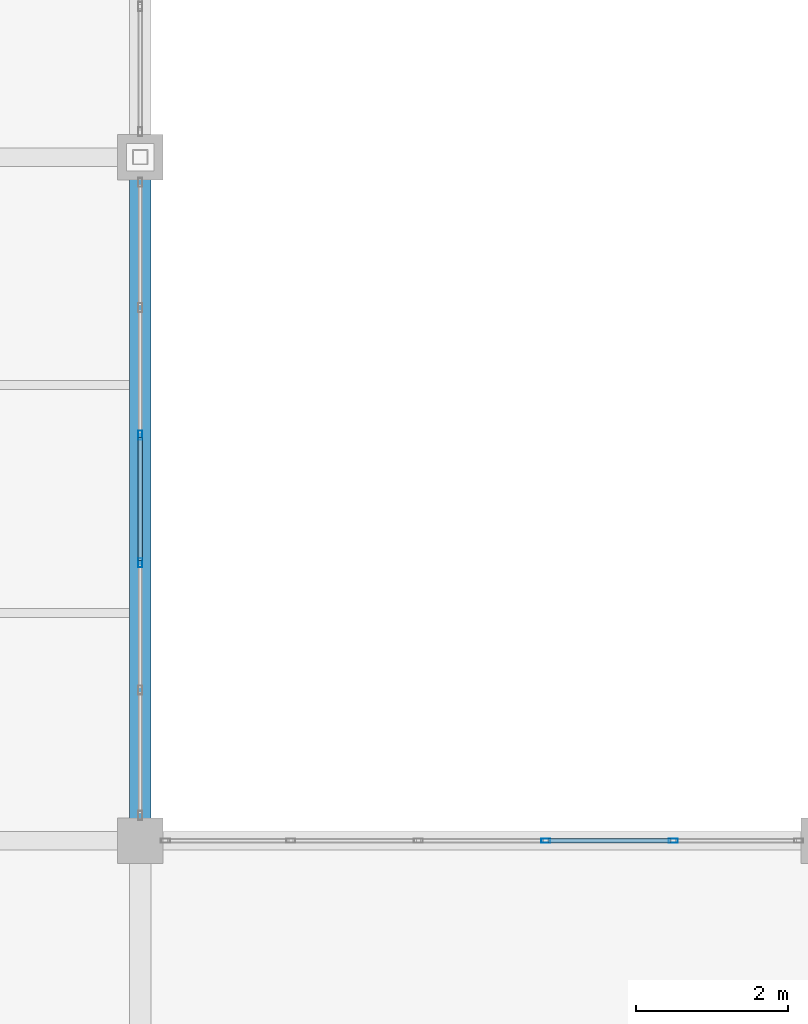
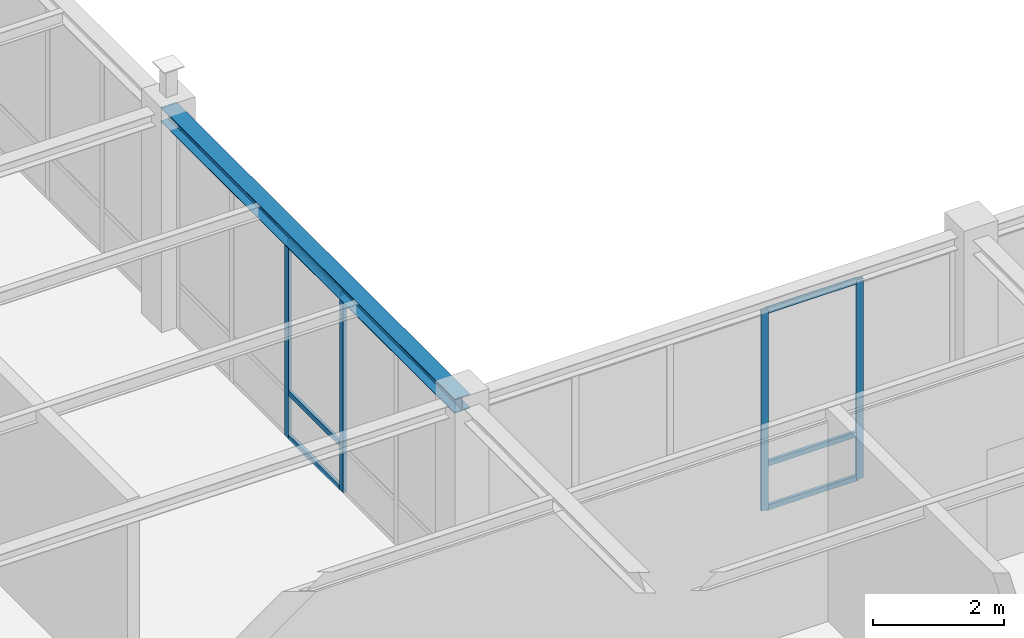
# One storey, part 44 of 97: 10 members, 1 beam, 2 elements without a shape of their own.
"""IFC4 building model written with IfcOpenShell, lengths in metres."""

from ifc_helpers import new_model, si_unit, direction, frame, origin, origin_2d, place, context, subcontext, project, spatial, hollow_rectangle, i_section, extrude, material, material_profile, profile_set, type_object, element, aggregate, save


model = new_model("IFC4")

# Units and contexts
model_context = context("Model", 3, precision=1e-05, world=origin(), true_north=direction((0.0, 1.0)))
body_context = subcontext(model_context, "Body", "Model", "MODEL_VIEW")
ifc_project = project(units=[si_unit("LENGTHUNIT", "METRE"), si_unit("AREAUNIT", "SQUARE_METRE"), si_unit("VOLUMEUNIT", "CUBIC_METRE"), si_unit("PLANEANGLEUNIT", "RADIAN"), si_unit("MASSUNIT", "GRAM", prefix="KILO")], contexts=[model_context])

# Site, building, storey
site_placement = place(None, origin())
site = spatial("IfcSite", under=ifc_project, at=site_placement, CompositionType="ELEMENT")
building_placement = place(site_placement, origin())
building = spatial("IfcBuilding", under=site, at=building_placement, Name="Lykobir Media Centre", CompositionType="ELEMENT")
storey_placement = place(building_placement, frame((0.0, 0.0, 23.39990234375)))
storey = spatial("IfcBuildingStorey", under=building, at=storey_placement, Name="L05", CompositionType="ELEMENT", Elevation=23.39990234375)

# Beam
ifc_material_1 = material(Name="Steel S355", Category="steel")
ifc_material_profile_1 = material_profile(ifc_material_1, i_section(OverallWidth=0.280029296875, OverallDepth=0.27001953125, WebThickness=0.008056640625, FlangeThickness=0.012939453125, at=origin_2d()), Name="HEA 280")
ifc_profile_set_1 = profile_set([ifc_material_profile_1], Name="Steel S355")
beam_type = type_object("IfcBeamType", Name="BM-HEA280", PredefinedType="BEAM", material=ifc_profile_set_1)
beam_placement = place(storey_placement, frame((99.0, 18.0, 3.84521484375), z_axis=(0.0, 1.0, 0.0), x_axis=(-1.0, 0.0, 0.0)))
element("IfcBeam", 1, at=beam_placement, inside=storey, type_object=beam_type, Name="Beam BM-L05-0990-0180-0990-0270-2724", PredefinedType="BEAM", context=body_context, shape_type="SweptSolid", body=[
    extrude(i_section(OverallWidth=0.280029296875, OverallDepth=0.27001953125, WebThickness=0.008056640625, FlangeThickness=0.012939453125, at=origin_2d()), origin(), (0.0, 0.0, 1.0), 9.0),
])

# Curtain wall, members
ifc_material_2 = material(Name="Anodized Aluminium AW-6060", Category="aluminium")
curtain_wall_type = type_object("IfcCurtainWallType", Name="CW-COURT-B", PredefinedType="NOTDEFINED", material=ifc_material_2)
curtain_wall_1_placement = place(storey_placement, origin())
curtain_wall_1 = element("IfcCurtainWall", 2, at=curtain_wall_1_placement, inside=storey, type_object=curtain_wall_type, Name="Curtain wall CW2-L05-0181", PredefinedType="NOTDEFINED")
ifc_material_profile_2 = material_profile(ifc_material_2, hollow_rectangle(XDim=0.054931640625, YDim=0.1201171875, WallThickness=0.003173828125, at=origin_2d()), Name="ALU MULLION 55x120")
ifc_profile_set_2 = profile_set([ifc_material_profile_2], Name="Anodized Aluminium AW-6060")
member_type_1 = type_object("IfcMemberType", Name="CWM-120", PredefinedType="MULLION", material=ifc_profile_set_2)
member_1_placement = place(storey_placement, frame((99.0, 23.339111328125, 0.0), z_axis=(0.0, 0.0, 1.0), x_axis=(1.0, 0.0, 0.0)))
member_1 = element("IfcMember", 3, at=member_1_placement, type_object=member_type_1, Name="CW2-L05-0181 mullion 3", PredefinedType="MULLION", context=body_context, shape_type="SweptSolid", body=[
    extrude(hollow_rectangle(XDim=0.054931640625, YDim=0.1201171875, WallThickness=0.003173828125, at=origin_2d()), origin(), (0.0, 0.0, 1.0), 3.695068359375),
])
member_2_placement = place(storey_placement, frame((99.0, 21.660888671875, 0.0), z_axis=(0.0, 0.0, 1.0), x_axis=(1.0, 0.0, 0.0)))
member_2 = element("IfcMember", 4, at=member_2_placement, type_object=member_type_1, Name="CW2-L05-0181 mullion 4", PredefinedType="MULLION", context=body_context, shape_type="SweptSolid", body=[
    extrude(hollow_rectangle(XDim=0.054931640625, YDim=0.1201171875, WallThickness=0.003173828125, at=origin_2d()), origin(), (0.0, 0.0, 1.0), 3.695068359375),
])

curtain_wall_2_placement = place(storey_placement, origin())
curtain_wall_2 = element("IfcCurtainWall", 5, at=curtain_wall_2_placement, inside=storey, type_object=curtain_wall_type, Name="Curtain wall CW2-L05-0187", PredefinedType="NOTDEFINED")
member_3_placement = place(storey_placement, frame((104.339111328125, 18.0, 0.0), z_axis=(0.0, 0.0, 1.0), x_axis=(0.0, 1.0, 0.0)))
member_3 = element("IfcMember", 6, at=member_3_placement, type_object=member_type_1, Name="CW2-L05-0187 mullion 4", PredefinedType="MULLION", context=body_context, shape_type="SweptSolid", body=[
    extrude(hollow_rectangle(XDim=0.054931640625, YDim=0.1201171875, WallThickness=0.003173828125, at=origin_2d()), origin(), (0.0, 0.0, 1.0), 3.735107421875),
])
member_4_placement = place(storey_placement, frame((106.01708984375, 18.0, 0.0), z_axis=(0.0, 0.0, 1.0), x_axis=(0.0, 1.0, 0.0)))
member_4 = element("IfcMember", 7, at=member_4_placement, type_object=member_type_1, Name="CW2-L05-0187 mullion 5", PredefinedType="MULLION", context=body_context, shape_type="SweptSolid", body=[
    extrude(hollow_rectangle(XDim=0.054931640625, YDim=0.1201171875, WallThickness=0.003173828125, at=origin_2d()), origin(), (0.0, 0.0, 1.0), 3.735107421875),
])

# Member
ifc_material_profile_3 = material_profile(ifc_material_2, hollow_rectangle(XDim=0.054931640625, YDim=0.094970703125, WallThickness=0.0029296875, at=origin_2d()), Name="ALU TRANSOM 55x95")
ifc_profile_set_3 = profile_set([ifc_material_profile_3], Name="Anodized Aluminium AW-6060")
member_type_2 = type_object("IfcMemberType", Name="CWT-095", PredefinedType="USERDEFINED", material=ifc_profile_set_3)
member_5_placement = place(storey_placement, frame((99.0, 23.3115234375, 0.027587890625), z_axis=(0.0, -1.0, 0.0), x_axis=(1.0, 0.0, 0.0)))
member_5 = element("IfcMember", 8, at=member_5_placement, type_object=member_type_2, Name="CW2-L05-0181 transom 3.1", ObjectType="TRANSOM", PredefinedType="USERDEFINED", context=body_context, shape_type="SweptSolid", body=[
    extrude(hollow_rectangle(XDim=0.054931640625, YDim=0.094970703125, WallThickness=0.0029296875, at=origin_2d()), origin(), (0.0, 0.0, 1.0), 1.623046875),
])

member_6_placement = place(storey_placement, frame((99.0, 23.3115234375, 0.85009765625), z_axis=(0.0, -1.0, 0.0), x_axis=(1.0, 0.0, 0.0)))
member_6 = element("IfcMember", 9, at=member_6_placement, type_object=member_type_2, Name="CW2-L05-0181 transom 3.2", ObjectType="TRANSOM", PredefinedType="USERDEFINED", context=body_context, shape_type="SweptSolid", body=[
    extrude(hollow_rectangle(XDim=0.054931640625, YDim=0.094970703125, WallThickness=0.0029296875, at=origin_2d()), origin(), (0.0, 0.0, 1.0), 1.623046875),
])

member_7_placement = place(storey_placement, frame((99.0, 23.3115234375, 3.66748046875), z_axis=(0.0, -1.0, 0.0), x_axis=(1.0, 0.0, 0.0)))
member_7 = element("IfcMember", 10, at=member_7_placement, type_object=member_type_2, Name="CW2-L05-0181 transom 3.3", ObjectType="TRANSOM", PredefinedType="USERDEFINED", context=body_context, shape_type="SweptSolid", body=[
    extrude(hollow_rectangle(XDim=0.054931640625, YDim=0.094970703125, WallThickness=0.0029296875, at=origin_2d()), origin(), (0.0, 0.0, 1.0), 1.623046875),
])

aggregate(curtain_wall_1, [member_1, member_2, member_5, member_6, member_7])

member_8_placement = place(storey_placement, frame((104.366455078125, 18.0, 0.027587890625), z_axis=(1.0, 0.0, 0.0), x_axis=(0.0, 1.0, 0.0)))
member_8 = element("IfcMember", 11, at=member_8_placement, type_object=member_type_2, Name="CW2-L05-0187 transom 4.1", ObjectType="TRANSOM", PredefinedType="USERDEFINED", context=body_context, shape_type="SweptSolid", body=[
    extrude(hollow_rectangle(XDim=0.054931640625, YDim=0.094970703125, WallThickness=0.0029296875, at=origin_2d()), origin(), (0.0, 0.0, 1.0), 1.623046875),
])

member_9_placement = place(storey_placement, frame((104.366455078125, 18.0, 0.85009765625), z_axis=(1.0, 0.0, 0.0), x_axis=(0.0, 1.0, 0.0)))
member_9 = element("IfcMember", 12, at=member_9_placement, type_object=member_type_2, Name="CW2-L05-0187 transom 4.2", ObjectType="TRANSOM", PredefinedType="USERDEFINED", context=body_context, shape_type="SweptSolid", body=[
    extrude(hollow_rectangle(XDim=0.054931640625, YDim=0.094970703125, WallThickness=0.0029296875, at=origin_2d()), origin(), (0.0, 0.0, 1.0), 1.623046875),
])

member_10_placement = place(storey_placement, frame((104.366455078125, 18.0, 3.70751953125), z_axis=(1.0, 0.0, 0.0), x_axis=(0.0, 1.0, 0.0)))
member_10 = element("IfcMember", 13, at=member_10_placement, type_object=member_type_2, Name="CW2-L05-0187 transom 4.3", ObjectType="TRANSOM", PredefinedType="USERDEFINED", context=body_context, shape_type="SweptSolid", body=[
    extrude(hollow_rectangle(XDim=0.054931640625, YDim=0.094970703125, WallThickness=0.0029296875, at=origin_2d()), origin(), (0.0, 0.0, 1.0), 1.623046875),
])

aggregate(curtain_wall_2, [member_3, member_4, member_8, member_9, member_10])

save(model, "model.ifc")
